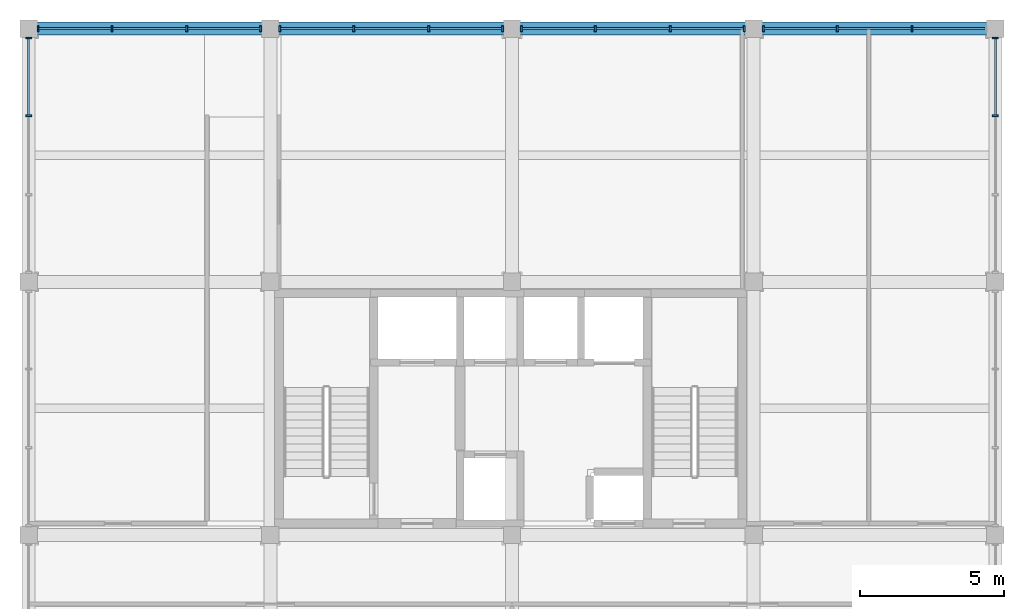
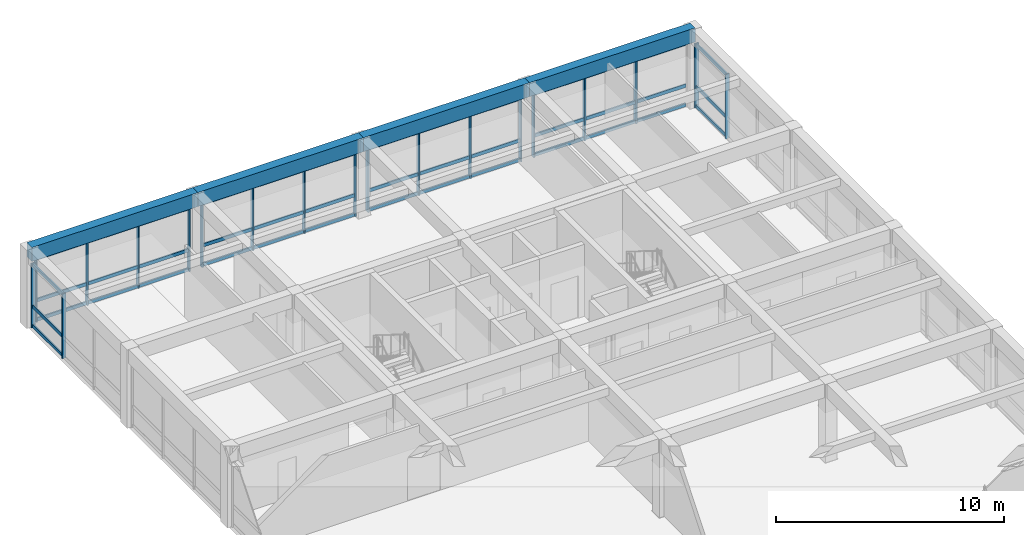
# One storey, part 6 of 14: 61 members, 4 beams, 6 elements without a shape of their own.
"""IFC4 building model written with IfcOpenShell, lengths in metres."""

from ifc_helpers import new_model, si_unit, direction, frame, origin, origin_2d, place, context, subcontext, project, spatial, rectangle, extrude, material, material_profile, profile_set, type_object, element, aggregate, save


model = new_model("IFC4")

# Units and contexts
model_context = context("Model", 3, precision=1e-05, world=origin(), true_north=direction((0.0, 1.0)))
body_context = subcontext(model_context, "Body", "Model", "MODEL_VIEW")
ifc_project = project(units=[si_unit("LENGTHUNIT", "METRE"), si_unit("AREAUNIT", "SQUARE_METRE"), si_unit("VOLUMEUNIT", "CUBIC_METRE"), si_unit("PLANEANGLEUNIT", "RADIAN"), si_unit("MASSUNIT", "GRAM", prefix="KILO")], contexts=[model_context])

# Site, building, storey
site_placement = place(None, origin())
site = spatial("IfcSite", under=ifc_project, at=site_placement, CompositionType="ELEMENT")
building_placement = place(site_placement, origin())
building = spatial("IfcBuilding", under=site, at=building_placement, Name="Kemercrest Conservatory and Botanical Centre", CompositionType="ELEMENT")
storey_placement = place(building_placement, frame((0.0, 0.0, 63.800048828125)))
storey = spatial("IfcBuildingStorey", under=building, at=storey_placement, Name="L16", CompositionType="ELEMENT", Elevation=63.800048828125)

# Curtain wall, members
ifc_material_1 = material(Name="Thermally broken aluminium and triple low-e glazing", Category="aluminium")
curtain_wall_type_1 = type_object("IfcCurtainWallType", Name="CW-19", PredefinedType="USERDEFINED", material=ifc_material_1)
curtain_wall_1_placement = place(storey_placement, origin())
curtain_wall_1 = element("IfcCurtainWall", 1, at=curtain_wall_1_placement, inside=storey, type_object=curtain_wall_type_1, Name="Unitised curtain wall CW-19 (CW:L16:V4-168)", ObjectType="UNITISED CURTAIN WALL", PredefinedType="USERDEFINED")
ifc_material_2 = material(Name="Thermally broken anodized aluminium 6063-T6", Category="aluminium")
ifc_material_profile_1 = material_profile(ifc_material_2, rectangle(XDim=0.199951171875, YDim=0.06494140625, at=origin_2d()), Name="AL MULLION 65x200")
ifc_profile_set_1 = profile_set([ifc_material_profile_1], Name="Thermally broken anodized aluminium 6063-T6")
member_type_1 = type_object("IfcMemberType", Name="CW-M200", PredefinedType="MULLION", material=ifc_profile_set_1)
member_1_placement = place(storey_placement, frame((176.0, 119.368408203125, 0.0), z_axis=(0.0, 0.0, 1.0), x_axis=(-1.0, 0.0, 0.0)))
member_1 = element("IfcMember", 2, at=member_1_placement, type_object=member_type_1, Name="CW-19 mullion 3", PredefinedType="MULLION", context=body_context, shape_type="SweptSolid", body=[
    extrude(rectangle(XDim=0.199951171875, YDim=0.06494140625, at=origin_2d()), origin(), (0.0, 0.0, 1.0), 3.454833984375),
])
member_2_placement = place(storey_placement, frame((176.0, 122.072509765625, 0.0), z_axis=(0.0, 0.0, 1.0), x_axis=(-1.0, 0.0, 0.0)))
member_2 = element("IfcMember", 3, at=member_2_placement, type_object=member_type_1, Name="CW-19 mullion 4", PredefinedType="MULLION", context=body_context, shape_type="SweptSolid", body=[
    extrude(rectangle(XDim=0.199951171875, YDim=0.06494140625, at=origin_2d()), origin(), (0.0, 0.0, 1.0), 3.454833984375),
])

curtain_wall_type_2 = type_object("IfcCurtainWallType", Name="CW-20", PredefinedType="USERDEFINED", material=ifc_material_1)
curtain_wall_2_placement = place(storey_placement, origin())
curtain_wall_2 = element("IfcCurtainWall", 4, at=curtain_wall_2_placement, inside=storey, type_object=curtain_wall_type_2, Name="Unitised curtain wall CW-20 (CW:L16:V4-169)", ObjectType="UNITISED CURTAIN WALL", PredefinedType="USERDEFINED")
member_3_placement = place(storey_placement, frame((173.1015625, 122.39990234375, 0.0), z_axis=(0.0, 0.0, 1.0), x_axis=(0.0, -1.0, 0.0)))
member_3 = element("IfcMember", 5, at=member_3_placement, type_object=member_type_1, Name="CW-20 mullion 2", PredefinedType="MULLION", context=body_context, shape_type="SweptSolid", body=[
    extrude(rectangle(XDim=0.199951171875, YDim=0.06494140625, at=origin_2d()), origin(), (0.0, 0.0, 1.0), 3.454833984375),
])
member_4_placement = place(storey_placement, frame((170.498291015625, 122.39990234375, 0.0), z_axis=(0.0, 0.0, 1.0), x_axis=(0.0, -1.0, 0.0)))
member_4 = element("IfcMember", 6, at=member_4_placement, type_object=member_type_1, Name="CW-20 mullion 3", PredefinedType="MULLION", context=body_context, shape_type="SweptSolid", body=[
    extrude(rectangle(XDim=0.199951171875, YDim=0.06494140625, at=origin_2d()), origin(), (0.0, 0.0, 1.0), 3.454833984375),
])
member_5_placement = place(storey_placement, frame((167.927490234375, 122.39990234375, 0.0), z_axis=(0.0, 0.0, 1.0), x_axis=(0.0, -1.0, 0.0)))
member_5 = element("IfcMember", 7, at=member_5_placement, type_object=member_type_1, Name="CW-20 mullion 4", PredefinedType="MULLION", context=body_context, shape_type="SweptSolid", body=[
    extrude(rectangle(XDim=0.199951171875, YDim=0.06494140625, at=origin_2d()), origin(), (0.0, 0.0, 1.0), 3.454833984375),
])

curtain_wall_type_3 = type_object("IfcCurtainWallType", Name="CW-21", PredefinedType="USERDEFINED", material=ifc_material_1)
curtain_wall_3_placement = place(storey_placement, origin())
curtain_wall_3 = element("IfcCurtainWall", 8, at=curtain_wall_3_placement, inside=storey, type_object=curtain_wall_type_3, Name="Unitised curtain wall CW-21 (CW:L16:V4-170)", ObjectType="UNITISED CURTAIN WALL", PredefinedType="USERDEFINED")
member_6_placement = place(storey_placement, frame((167.2724609375, 122.39990234375, 0.0), z_axis=(0.0, 0.0, 1.0), x_axis=(0.0, -1.0, 0.0)))
member_6 = element("IfcMember", 9, at=member_6_placement, type_object=member_type_1, Name="CW-21 mullion 1", PredefinedType="MULLION", context=body_context, shape_type="SweptSolid", body=[
    extrude(rectangle(XDim=0.199951171875, YDim=0.06494140625, at=origin_2d()), origin(), (0.0, 0.0, 1.0), 3.454833984375),
])
member_7_placement = place(storey_placement, frame((164.70166015625, 122.39990234375, 0.0), z_axis=(0.0, 0.0, 1.0), x_axis=(0.0, -1.0, 0.0)))
member_7 = element("IfcMember", 10, at=member_7_placement, type_object=member_type_1, Name="CW-21 mullion 2", PredefinedType="MULLION", context=body_context, shape_type="SweptSolid", body=[
    extrude(rectangle(XDim=0.199951171875, YDim=0.06494140625, at=origin_2d()), origin(), (0.0, 0.0, 1.0), 3.454833984375),
])
member_8_placement = place(storey_placement, frame((162.098388671875, 122.39990234375, 0.0), z_axis=(0.0, 0.0, 1.0), x_axis=(0.0, -1.0, 0.0)))
member_8 = element("IfcMember", 11, at=member_8_placement, type_object=member_type_1, Name="CW-21 mullion 3", PredefinedType="MULLION", context=body_context, shape_type="SweptSolid", body=[
    extrude(rectangle(XDim=0.199951171875, YDim=0.06494140625, at=origin_2d()), origin(), (0.0, 0.0, 1.0), 3.454833984375),
])
member_9_placement = place(storey_placement, frame((159.527587890625, 122.39990234375, 0.0), z_axis=(0.0, 0.0, 1.0), x_axis=(0.0, -1.0, 0.0)))
member_9 = element("IfcMember", 12, at=member_9_placement, type_object=member_type_1, Name="CW-21 mullion 4", PredefinedType="MULLION", context=body_context, shape_type="SweptSolid", body=[
    extrude(rectangle(XDim=0.199951171875, YDim=0.06494140625, at=origin_2d()), origin(), (0.0, 0.0, 1.0), 3.454833984375),
])

curtain_wall_type_4 = type_object("IfcCurtainWallType", Name="CW-22", PredefinedType="USERDEFINED", material=ifc_material_1)
curtain_wall_4_placement = place(storey_placement, origin())
curtain_wall_4 = element("IfcCurtainWall", 13, at=curtain_wall_4_placement, inside=storey, type_object=curtain_wall_type_4, Name="Unitised curtain wall CW-22 (CW:L16:V4-171)", ObjectType="UNITISED CURTAIN WALL", PredefinedType="USERDEFINED")
member_10_placement = place(storey_placement, frame((158.87255859375, 122.39990234375, 0.0), z_axis=(0.0, 0.0, 1.0), x_axis=(0.0, -1.0, 0.0)))
member_10 = element("IfcMember", 14, at=member_10_placement, type_object=member_type_1, Name="CW-22 mullion 1", PredefinedType="MULLION", context=body_context, shape_type="SweptSolid", body=[
    extrude(rectangle(XDim=0.199951171875, YDim=0.06494140625, at=origin_2d()), origin(), (0.0, 0.0, 1.0), 3.454833984375),
])
member_11_placement = place(storey_placement, frame((156.3017578125, 122.39990234375, 0.0), z_axis=(0.0, 0.0, 1.0), x_axis=(0.0, -1.0, 0.0)))
member_11 = element("IfcMember", 15, at=member_11_placement, type_object=member_type_1, Name="CW-22 mullion 2", PredefinedType="MULLION", context=body_context, shape_type="SweptSolid", body=[
    extrude(rectangle(XDim=0.199951171875, YDim=0.06494140625, at=origin_2d()), origin(), (0.0, 0.0, 1.0), 3.454833984375),
])
member_12_placement = place(storey_placement, frame((153.6982421875, 122.39990234375, 0.0), z_axis=(0.0, 0.0, 1.0), x_axis=(0.0, -1.0, 0.0)))
member_12 = element("IfcMember", 16, at=member_12_placement, type_object=member_type_1, Name="CW-22 mullion 3", PredefinedType="MULLION", context=body_context, shape_type="SweptSolid", body=[
    extrude(rectangle(XDim=0.199951171875, YDim=0.06494140625, at=origin_2d()), origin(), (0.0, 0.0, 1.0), 3.454833984375),
])
member_13_placement = place(storey_placement, frame((151.12744140625, 122.39990234375, 0.0), z_axis=(0.0, 0.0, 1.0), x_axis=(0.0, -1.0, 0.0)))
member_13 = element("IfcMember", 17, at=member_13_placement, type_object=member_type_1, Name="CW-22 mullion 4", PredefinedType="MULLION", context=body_context, shape_type="SweptSolid", body=[
    extrude(rectangle(XDim=0.199951171875, YDim=0.06494140625, at=origin_2d()), origin(), (0.0, 0.0, 1.0), 3.454833984375),
])

curtain_wall_type_5 = type_object("IfcCurtainWallType", Name="CW-23", PredefinedType="USERDEFINED", material=ifc_material_1)
curtain_wall_5_placement = place(storey_placement, origin())
curtain_wall_5 = element("IfcCurtainWall", 18, at=curtain_wall_5_placement, inside=storey, type_object=curtain_wall_type_5, Name="Unitised curtain wall CW-23 (CW:L16:V4-172)", ObjectType="UNITISED CURTAIN WALL", PredefinedType="USERDEFINED")
member_14_placement = place(storey_placement, frame((150.472412109375, 122.39990234375, 0.0), z_axis=(0.0, 0.0, 1.0), x_axis=(0.0, -1.0, 0.0)))
member_14 = element("IfcMember", 19, at=member_14_placement, type_object=member_type_1, Name="CW-23 mullion 1", PredefinedType="MULLION", context=body_context, shape_type="SweptSolid", body=[
    extrude(rectangle(XDim=0.199951171875, YDim=0.06494140625, at=origin_2d()), origin(), (0.0, 0.0, 1.0), 3.454833984375),
])
member_15_placement = place(storey_placement, frame((147.901611328125, 122.39990234375, 0.0), z_axis=(0.0, 0.0, 1.0), x_axis=(0.0, -1.0, 0.0)))
member_15 = element("IfcMember", 20, at=member_15_placement, type_object=member_type_1, Name="CW-23 mullion 2", PredefinedType="MULLION", context=body_context, shape_type="SweptSolid", body=[
    extrude(rectangle(XDim=0.199951171875, YDim=0.06494140625, at=origin_2d()), origin(), (0.0, 0.0, 1.0), 3.454833984375),
])
member_16_placement = place(storey_placement, frame((145.29833984375, 122.39990234375, 0.0), z_axis=(0.0, 0.0, 1.0), x_axis=(0.0, -1.0, 0.0)))
member_16 = element("IfcMember", 21, at=member_16_placement, type_object=member_type_1, Name="CW-23 mullion 3", PredefinedType="MULLION", context=body_context, shape_type="SweptSolid", body=[
    extrude(rectangle(XDim=0.199951171875, YDim=0.06494140625, at=origin_2d()), origin(), (0.0, 0.0, 1.0), 3.454833984375),
])
member_17_placement = place(storey_placement, frame((142.7275390625, 122.39990234375, 0.0), z_axis=(0.0, 0.0, 1.0), x_axis=(0.0, -1.0, 0.0)))
member_17 = element("IfcMember", 22, at=member_17_placement, type_object=member_type_1, Name="CW-23 mullion 4", PredefinedType="MULLION", context=body_context, shape_type="SweptSolid", body=[
    extrude(rectangle(XDim=0.199951171875, YDim=0.06494140625, at=origin_2d()), origin(), (0.0, 0.0, 1.0), 3.454833984375),
])

curtain_wall_type_6 = type_object("IfcCurtainWallType", Name="CW-24", PredefinedType="USERDEFINED", material=ifc_material_1)
curtain_wall_6_placement = place(storey_placement, origin())
curtain_wall_6 = element("IfcCurtainWall", 23, at=curtain_wall_6_placement, inside=storey, type_object=curtain_wall_type_6, Name="Unitised curtain wall CW-24 (CW:L16:V4-173)", ObjectType="UNITISED CURTAIN WALL", PredefinedType="USERDEFINED")
member_18_placement = place(storey_placement, frame((142.39990234375, 122.072509765625, 0.0), z_axis=(0.0, 0.0, 1.0), x_axis=(1.0, 0.0, 0.0)))
member_18 = element("IfcMember", 24, at=member_18_placement, type_object=member_type_1, Name="CW-24 mullion 1", PredefinedType="MULLION", context=body_context, shape_type="SweptSolid", body=[
    extrude(rectangle(XDim=0.199951171875, YDim=0.06494140625, at=origin_2d()), origin(), (0.0, 0.0, 1.0), 3.454833984375),
])
member_19_placement = place(storey_placement, frame((142.39990234375, 119.368408203125, 0.0), z_axis=(0.0, 0.0, 1.0), x_axis=(1.0, 0.0, 0.0)))
member_19 = element("IfcMember", 25, at=member_19_placement, type_object=member_type_1, Name="CW-24 mullion 2", PredefinedType="MULLION", context=body_context, shape_type="SweptSolid", body=[
    extrude(rectangle(XDim=0.199951171875, YDim=0.06494140625, at=origin_2d()), origin(), (0.0, 0.0, 1.0), 3.454833984375),
])

# Member
ifc_material_profile_2 = material_profile(ifc_material_2, rectangle(XDim=0.074951171875, YDim=0.179931640625, at=origin_2d()), Name="AL TRANSOM 75x180")
ifc_profile_set_2 = profile_set([ifc_material_profile_2], Name="Thermally broken anodized aluminium 6063-T6")
member_type_2 = type_object("IfcMemberType", Name="CW-T180", PredefinedType="USERDEFINED", material=ifc_profile_set_2)
member_20_placement = place(storey_placement, frame((176.0, 119.40087890625, 0.08984375), z_axis=(0.0, 1.0, 0.0), x_axis=(-1.0, 0.0, 0.0)))
member_20 = element("IfcMember", 26, at=member_20_placement, type_object=member_type_2, Name="CW-19 transom 3.1", ObjectType="TRANSOM", PredefinedType="USERDEFINED", context=body_context, shape_type="SweptSolid", body=[
    extrude(rectangle(XDim=0.074951171875, YDim=0.179931640625, at=origin_2d()), origin(), (0.0, 0.0, 1.0), 2.63916015625),
])

member_21_placement = place(storey_placement, frame((176.0, 119.40087890625, 1.119873046875), z_axis=(0.0, 1.0, 0.0), x_axis=(-1.0, 0.0, 0.0)))
member_21 = element("IfcMember", 27, at=member_21_placement, type_object=member_type_2, Name="CW-19 transom 3.2", ObjectType="TRANSOM", PredefinedType="USERDEFINED", context=body_context, shape_type="SweptSolid", body=[
    extrude(rectangle(XDim=0.074951171875, YDim=0.179931640625, at=origin_2d()), origin(), (0.0, 0.0, 1.0), 2.63916015625),
])

member_22_placement = place(storey_placement, frame((176.0, 119.40087890625, 3.364990234375), z_axis=(0.0, 1.0, 0.0), x_axis=(-1.0, 0.0, 0.0)))
member_22 = element("IfcMember", 28, at=member_22_placement, type_object=member_type_2, Name="CW-19 transom 3.3", ObjectType="TRANSOM", PredefinedType="USERDEFINED", context=body_context, shape_type="SweptSolid", body=[
    extrude(rectangle(XDim=0.074951171875, YDim=0.179931640625, at=origin_2d()), origin(), (0.0, 0.0, 1.0), 2.63916015625),
])

aggregate(curtain_wall_1, [member_1, member_2, member_20, member_21, member_22])

member_23_placement = place(storey_placement, frame((175.639892578125, 122.39990234375, 0.08984375), z_axis=(-1.0, 0.0, 0.0), x_axis=(0.0, -1.0, 0.0)))
member_23 = element("IfcMember", 29, at=member_23_placement, type_object=member_type_2, Name="CW-20 transom 1.1", ObjectType="TRANSOM", PredefinedType="USERDEFINED", context=body_context, shape_type="SweptSolid", body=[
    extrude(rectangle(XDim=0.074951171875, YDim=0.179931640625, at=origin_2d()), origin(), (0.0, 0.0, 1.0), 2.505615234375),
])

member_24_placement = place(storey_placement, frame((175.639892578125, 122.39990234375, 1.119873046875), z_axis=(-1.0, 0.0, 0.0), x_axis=(0.0, -1.0, 0.0)))
member_24 = element("IfcMember", 30, at=member_24_placement, type_object=member_type_2, Name="CW-20 transom 1.2", ObjectType="TRANSOM", PredefinedType="USERDEFINED", context=body_context, shape_type="SweptSolid", body=[
    extrude(rectangle(XDim=0.074951171875, YDim=0.179931640625, at=origin_2d()), origin(), (0.0, 0.0, 1.0), 2.505615234375),
])

member_25_placement = place(storey_placement, frame((175.639892578125, 122.39990234375, 3.364990234375), z_axis=(-1.0, 0.0, 0.0), x_axis=(0.0, -1.0, 0.0)))
member_25 = element("IfcMember", 31, at=member_25_placement, type_object=member_type_2, Name="CW-20 transom 1.3", ObjectType="TRANSOM", PredefinedType="USERDEFINED", context=body_context, shape_type="SweptSolid", body=[
    extrude(rectangle(XDim=0.074951171875, YDim=0.179931640625, at=origin_2d()), origin(), (0.0, 0.0, 1.0), 2.505615234375),
])

member_26_placement = place(storey_placement, frame((173.069091796875, 122.39990234375, 0.08984375), z_axis=(-1.0, 0.0, 0.0), x_axis=(0.0, -1.0, 0.0)))
member_26 = element("IfcMember", 32, at=member_26_placement, type_object=member_type_2, Name="CW-20 transom 2.1", ObjectType="TRANSOM", PredefinedType="USERDEFINED", context=body_context, shape_type="SweptSolid", body=[
    extrude(rectangle(XDim=0.074951171875, YDim=0.179931640625, at=origin_2d()), origin(), (0.0, 0.0, 1.0), 2.538330078125),
])

member_27_placement = place(storey_placement, frame((173.069091796875, 122.39990234375, 1.119873046875), z_axis=(-1.0, 0.0, 0.0), x_axis=(0.0, -1.0, 0.0)))
member_27 = element("IfcMember", 33, at=member_27_placement, type_object=member_type_2, Name="CW-20 transom 2.2", ObjectType="TRANSOM", PredefinedType="USERDEFINED", context=body_context, shape_type="SweptSolid", body=[
    extrude(rectangle(XDim=0.074951171875, YDim=0.179931640625, at=origin_2d()), origin(), (0.0, 0.0, 1.0), 2.538330078125),
])

member_28_placement = place(storey_placement, frame((173.069091796875, 122.39990234375, 3.364990234375), z_axis=(-1.0, 0.0, 0.0), x_axis=(0.0, -1.0, 0.0)))
member_28 = element("IfcMember", 34, at=member_28_placement, type_object=member_type_2, Name="CW-20 transom 2.3", ObjectType="TRANSOM", PredefinedType="USERDEFINED", context=body_context, shape_type="SweptSolid", body=[
    extrude(rectangle(XDim=0.074951171875, YDim=0.179931640625, at=origin_2d()), origin(), (0.0, 0.0, 1.0), 2.538330078125),
])

member_29_placement = place(storey_placement, frame((170.4658203125, 122.39990234375, 0.08984375), z_axis=(-1.0, 0.0, 0.0), x_axis=(0.0, -1.0, 0.0)))
member_29 = element("IfcMember", 35, at=member_29_placement, type_object=member_type_2, Name="CW-20 transom 3.1", ObjectType="TRANSOM", PredefinedType="USERDEFINED", context=body_context, shape_type="SweptSolid", body=[
    extrude(rectangle(XDim=0.074951171875, YDim=0.179931640625, at=origin_2d()), origin(), (0.0, 0.0, 1.0), 2.505859375),
])

member_30_placement = place(storey_placement, frame((170.4658203125, 122.39990234375, 1.119873046875), z_axis=(-1.0, 0.0, 0.0), x_axis=(0.0, -1.0, 0.0)))
member_30 = element("IfcMember", 36, at=member_30_placement, type_object=member_type_2, Name="CW-20 transom 3.2", ObjectType="TRANSOM", PredefinedType="USERDEFINED", context=body_context, shape_type="SweptSolid", body=[
    extrude(rectangle(XDim=0.074951171875, YDim=0.179931640625, at=origin_2d()), origin(), (0.0, 0.0, 1.0), 2.505859375),
])

member_31_placement = place(storey_placement, frame((170.4658203125, 122.39990234375, 3.364990234375), z_axis=(-1.0, 0.0, 0.0), x_axis=(0.0, -1.0, 0.0)))
member_31 = element("IfcMember", 37, at=member_31_placement, type_object=member_type_2, Name="CW-20 transom 3.3", ObjectType="TRANSOM", PredefinedType="USERDEFINED", context=body_context, shape_type="SweptSolid", body=[
    extrude(rectangle(XDim=0.074951171875, YDim=0.179931640625, at=origin_2d()), origin(), (0.0, 0.0, 1.0), 2.505859375),
])

aggregate(curtain_wall_2, [member_3, member_4, member_5, member_23, member_24, member_25, member_26, member_27, member_28, member_29, member_30, member_31])

member_32_placement = place(storey_placement, frame((167.239990234375, 122.39990234375, 0.08984375), z_axis=(-1.0, 0.0, 0.0), x_axis=(0.0, -1.0, 0.0)))
member_32 = element("IfcMember", 38, at=member_32_placement, type_object=member_type_2, Name="CW-21 transom 1.1", ObjectType="TRANSOM", PredefinedType="USERDEFINED", context=body_context, shape_type="SweptSolid", body=[
    extrude(rectangle(XDim=0.074951171875, YDim=0.179931640625, at=origin_2d()), origin(), (0.0, 0.0, 1.0), 2.505859375),
])

member_33_placement = place(storey_placement, frame((167.239990234375, 122.39990234375, 1.119873046875), z_axis=(-1.0, 0.0, 0.0), x_axis=(0.0, -1.0, 0.0)))
member_33 = element("IfcMember", 39, at=member_33_placement, type_object=member_type_2, Name="CW-21 transom 1.2", ObjectType="TRANSOM", PredefinedType="USERDEFINED", context=body_context, shape_type="SweptSolid", body=[
    extrude(rectangle(XDim=0.074951171875, YDim=0.179931640625, at=origin_2d()), origin(), (0.0, 0.0, 1.0), 2.505859375),
])

member_34_placement = place(storey_placement, frame((167.239990234375, 122.39990234375, 3.364990234375), z_axis=(-1.0, 0.0, 0.0), x_axis=(0.0, -1.0, 0.0)))
member_34 = element("IfcMember", 40, at=member_34_placement, type_object=member_type_2, Name="CW-21 transom 1.3", ObjectType="TRANSOM", PredefinedType="USERDEFINED", context=body_context, shape_type="SweptSolid", body=[
    extrude(rectangle(XDim=0.074951171875, YDim=0.179931640625, at=origin_2d()), origin(), (0.0, 0.0, 1.0), 2.505859375),
])

member_35_placement = place(storey_placement, frame((164.669189453125, 122.39990234375, 0.08984375), z_axis=(-1.0, 0.0, 0.0), x_axis=(0.0, -1.0, 0.0)))
member_35 = element("IfcMember", 41, at=member_35_placement, type_object=member_type_2, Name="CW-21 transom 2.1", ObjectType="TRANSOM", PredefinedType="USERDEFINED", context=body_context, shape_type="SweptSolid", body=[
    extrude(rectangle(XDim=0.074951171875, YDim=0.179931640625, at=origin_2d()), origin(), (0.0, 0.0, 1.0), 2.538330078125),
])

member_36_placement = place(storey_placement, frame((164.669189453125, 122.39990234375, 1.119873046875), z_axis=(-1.0, 0.0, 0.0), x_axis=(0.0, -1.0, 0.0)))
member_36 = element("IfcMember", 42, at=member_36_placement, type_object=member_type_2, Name="CW-21 transom 2.2", ObjectType="TRANSOM", PredefinedType="USERDEFINED", context=body_context, shape_type="SweptSolid", body=[
    extrude(rectangle(XDim=0.074951171875, YDim=0.179931640625, at=origin_2d()), origin(), (0.0, 0.0, 1.0), 2.538330078125),
])

member_37_placement = place(storey_placement, frame((164.669189453125, 122.39990234375, 3.364990234375), z_axis=(-1.0, 0.0, 0.0), x_axis=(0.0, -1.0, 0.0)))
member_37 = element("IfcMember", 43, at=member_37_placement, type_object=member_type_2, Name="CW-21 transom 2.3", ObjectType="TRANSOM", PredefinedType="USERDEFINED", context=body_context, shape_type="SweptSolid", body=[
    extrude(rectangle(XDim=0.074951171875, YDim=0.179931640625, at=origin_2d()), origin(), (0.0, 0.0, 1.0), 2.538330078125),
])

member_38_placement = place(storey_placement, frame((162.06591796875, 122.39990234375, 0.08984375), z_axis=(-1.0, 0.0, 0.0), x_axis=(0.0, -1.0, 0.0)))
member_38 = element("IfcMember", 44, at=member_38_placement, type_object=member_type_2, Name="CW-21 transom 3.1", ObjectType="TRANSOM", PredefinedType="USERDEFINED", context=body_context, shape_type="SweptSolid", body=[
    extrude(rectangle(XDim=0.074951171875, YDim=0.179931640625, at=origin_2d()), origin(), (0.0, 0.0, 1.0), 2.505859375),
])

member_39_placement = place(storey_placement, frame((162.06591796875, 122.39990234375, 1.119873046875), z_axis=(-1.0, 0.0, 0.0), x_axis=(0.0, -1.0, 0.0)))
member_39 = element("IfcMember", 45, at=member_39_placement, type_object=member_type_2, Name="CW-21 transom 3.2", ObjectType="TRANSOM", PredefinedType="USERDEFINED", context=body_context, shape_type="SweptSolid", body=[
    extrude(rectangle(XDim=0.074951171875, YDim=0.179931640625, at=origin_2d()), origin(), (0.0, 0.0, 1.0), 2.505859375),
])

member_40_placement = place(storey_placement, frame((162.06591796875, 122.39990234375, 3.364990234375), z_axis=(-1.0, 0.0, 0.0), x_axis=(0.0, -1.0, 0.0)))
member_40 = element("IfcMember", 46, at=member_40_placement, type_object=member_type_2, Name="CW-21 transom 3.3", ObjectType="TRANSOM", PredefinedType="USERDEFINED", context=body_context, shape_type="SweptSolid", body=[
    extrude(rectangle(XDim=0.074951171875, YDim=0.179931640625, at=origin_2d()), origin(), (0.0, 0.0, 1.0), 2.505859375),
])

aggregate(curtain_wall_3, [member_6, member_7, member_8, member_9, member_32, member_33, member_34, member_35, member_36, member_37, member_38, member_39, member_40])

member_41_placement = place(storey_placement, frame((158.840087890625, 122.39990234375, 0.08984375), z_axis=(-1.0, 0.0, 0.0), x_axis=(0.0, -1.0, 0.0)))
member_41 = element("IfcMember", 47, at=member_41_placement, type_object=member_type_2, Name="CW-22 transom 1.1", ObjectType="TRANSOM", PredefinedType="USERDEFINED", context=body_context, shape_type="SweptSolid", body=[
    extrude(rectangle(XDim=0.074951171875, YDim=0.179931640625, at=origin_2d()), origin(), (0.0, 0.0, 1.0), 2.505859375),
])

member_42_placement = place(storey_placement, frame((158.840087890625, 122.39990234375, 1.119873046875), z_axis=(-1.0, 0.0, 0.0), x_axis=(0.0, -1.0, 0.0)))
member_42 = element("IfcMember", 48, at=member_42_placement, type_object=member_type_2, Name="CW-22 transom 1.2", ObjectType="TRANSOM", PredefinedType="USERDEFINED", context=body_context, shape_type="SweptSolid", body=[
    extrude(rectangle(XDim=0.074951171875, YDim=0.179931640625, at=origin_2d()), origin(), (0.0, 0.0, 1.0), 2.505859375),
])

member_43_placement = place(storey_placement, frame((158.840087890625, 122.39990234375, 3.364990234375), z_axis=(-1.0, 0.0, 0.0), x_axis=(0.0, -1.0, 0.0)))
member_43 = element("IfcMember", 49, at=member_43_placement, type_object=member_type_2, Name="CW-22 transom 1.3", ObjectType="TRANSOM", PredefinedType="USERDEFINED", context=body_context, shape_type="SweptSolid", body=[
    extrude(rectangle(XDim=0.074951171875, YDim=0.179931640625, at=origin_2d()), origin(), (0.0, 0.0, 1.0), 2.505859375),
])

member_44_placement = place(storey_placement, frame((156.269287109375, 122.39990234375, 0.08984375), z_axis=(-1.0, 0.0, 0.0), x_axis=(0.0, -1.0, 0.0)))
member_44 = element("IfcMember", 50, at=member_44_placement, type_object=member_type_2, Name="CW-22 transom 2.1", ObjectType="TRANSOM", PredefinedType="USERDEFINED", context=body_context, shape_type="SweptSolid", body=[
    extrude(rectangle(XDim=0.074951171875, YDim=0.179931640625, at=origin_2d()), origin(), (0.0, 0.0, 1.0), 2.53857421875),
])

member_45_placement = place(storey_placement, frame((156.269287109375, 122.39990234375, 1.119873046875), z_axis=(-1.0, 0.0, 0.0), x_axis=(0.0, -1.0, 0.0)))
member_45 = element("IfcMember", 51, at=member_45_placement, type_object=member_type_2, Name="CW-22 transom 2.2", ObjectType="TRANSOM", PredefinedType="USERDEFINED", context=body_context, shape_type="SweptSolid", body=[
    extrude(rectangle(XDim=0.074951171875, YDim=0.179931640625, at=origin_2d()), origin(), (0.0, 0.0, 1.0), 2.53857421875),
])

member_46_placement = place(storey_placement, frame((156.269287109375, 122.39990234375, 3.364990234375), z_axis=(-1.0, 0.0, 0.0), x_axis=(0.0, -1.0, 0.0)))
member_46 = element("IfcMember", 52, at=member_46_placement, type_object=member_type_2, Name="CW-22 transom 2.3", ObjectType="TRANSOM", PredefinedType="USERDEFINED", context=body_context, shape_type="SweptSolid", body=[
    extrude(rectangle(XDim=0.074951171875, YDim=0.179931640625, at=origin_2d()), origin(), (0.0, 0.0, 1.0), 2.53857421875),
])

member_47_placement = place(storey_placement, frame((153.665771484375, 122.39990234375, 0.08984375), z_axis=(-1.0, 0.0, 0.0), x_axis=(0.0, -1.0, 0.0)))
member_47 = element("IfcMember", 53, at=member_47_placement, type_object=member_type_2, Name="CW-22 transom 3.1", ObjectType="TRANSOM", PredefinedType="USERDEFINED", context=body_context, shape_type="SweptSolid", body=[
    extrude(rectangle(XDim=0.074951171875, YDim=0.179931640625, at=origin_2d()), origin(), (0.0, 0.0, 1.0), 2.505859375),
])

member_48_placement = place(storey_placement, frame((153.665771484375, 122.39990234375, 1.119873046875), z_axis=(-1.0, 0.0, 0.0), x_axis=(0.0, -1.0, 0.0)))
member_48 = element("IfcMember", 54, at=member_48_placement, type_object=member_type_2, Name="CW-22 transom 3.2", ObjectType="TRANSOM", PredefinedType="USERDEFINED", context=body_context, shape_type="SweptSolid", body=[
    extrude(rectangle(XDim=0.074951171875, YDim=0.179931640625, at=origin_2d()), origin(), (0.0, 0.0, 1.0), 2.505859375),
])

member_49_placement = place(storey_placement, frame((153.665771484375, 122.39990234375, 3.364990234375), z_axis=(-1.0, 0.0, 0.0), x_axis=(0.0, -1.0, 0.0)))
member_49 = element("IfcMember", 55, at=member_49_placement, type_object=member_type_2, Name="CW-22 transom 3.3", ObjectType="TRANSOM", PredefinedType="USERDEFINED", context=body_context, shape_type="SweptSolid", body=[
    extrude(rectangle(XDim=0.074951171875, YDim=0.179931640625, at=origin_2d()), origin(), (0.0, 0.0, 1.0), 2.505859375),
])

aggregate(curtain_wall_4, [member_10, member_11, member_12, member_13, member_41, member_42, member_43, member_44, member_45, member_46, member_47, member_48, member_49])

member_50_placement = place(storey_placement, frame((150.43994140625, 122.39990234375, 0.08984375), z_axis=(-1.0, 0.0, 0.0), x_axis=(0.0, -1.0, 0.0)))
member_50 = element("IfcMember", 56, at=member_50_placement, type_object=member_type_2, Name="CW-23 transom 1.1", ObjectType="TRANSOM", PredefinedType="USERDEFINED", context=body_context, shape_type="SweptSolid", body=[
    extrude(rectangle(XDim=0.074951171875, YDim=0.179931640625, at=origin_2d()), origin(), (0.0, 0.0, 1.0), 2.505859375),
])

member_51_placement = place(storey_placement, frame((150.43994140625, 122.39990234375, 1.119873046875), z_axis=(-1.0, 0.0, 0.0), x_axis=(0.0, -1.0, 0.0)))
member_51 = element("IfcMember", 57, at=member_51_placement, type_object=member_type_2, Name="CW-23 transom 1.2", ObjectType="TRANSOM", PredefinedType="USERDEFINED", context=body_context, shape_type="SweptSolid", body=[
    extrude(rectangle(XDim=0.074951171875, YDim=0.179931640625, at=origin_2d()), origin(), (0.0, 0.0, 1.0), 2.505859375),
])

member_52_placement = place(storey_placement, frame((150.43994140625, 122.39990234375, 3.364990234375), z_axis=(-1.0, 0.0, 0.0), x_axis=(0.0, -1.0, 0.0)))
member_52 = element("IfcMember", 58, at=member_52_placement, type_object=member_type_2, Name="CW-23 transom 1.3", ObjectType="TRANSOM", PredefinedType="USERDEFINED", context=body_context, shape_type="SweptSolid", body=[
    extrude(rectangle(XDim=0.074951171875, YDim=0.179931640625, at=origin_2d()), origin(), (0.0, 0.0, 1.0), 2.505859375),
])

member_53_placement = place(storey_placement, frame((147.869140625, 122.39990234375, 0.08984375), z_axis=(-1.0, 0.0, 0.0), x_axis=(0.0, -1.0, 0.0)))
member_53 = element("IfcMember", 59, at=member_53_placement, type_object=member_type_2, Name="CW-23 transom 2.1", ObjectType="TRANSOM", PredefinedType="USERDEFINED", context=body_context, shape_type="SweptSolid", body=[
    extrude(rectangle(XDim=0.074951171875, YDim=0.179931640625, at=origin_2d()), origin(), (0.0, 0.0, 1.0), 2.538330078125),
])

member_54_placement = place(storey_placement, frame((147.869140625, 122.39990234375, 1.119873046875), z_axis=(-1.0, 0.0, 0.0), x_axis=(0.0, -1.0, 0.0)))
member_54 = element("IfcMember", 60, at=member_54_placement, type_object=member_type_2, Name="CW-23 transom 2.2", ObjectType="TRANSOM", PredefinedType="USERDEFINED", context=body_context, shape_type="SweptSolid", body=[
    extrude(rectangle(XDim=0.074951171875, YDim=0.179931640625, at=origin_2d()), origin(), (0.0, 0.0, 1.0), 2.538330078125),
])

member_55_placement = place(storey_placement, frame((147.869140625, 122.39990234375, 3.364990234375), z_axis=(-1.0, 0.0, 0.0), x_axis=(0.0, -1.0, 0.0)))
member_55 = element("IfcMember", 61, at=member_55_placement, type_object=member_type_2, Name="CW-23 transom 2.3", ObjectType="TRANSOM", PredefinedType="USERDEFINED", context=body_context, shape_type="SweptSolid", body=[
    extrude(rectangle(XDim=0.074951171875, YDim=0.179931640625, at=origin_2d()), origin(), (0.0, 0.0, 1.0), 2.538330078125),
])

member_56_placement = place(storey_placement, frame((145.265869140625, 122.39990234375, 0.08984375), z_axis=(-1.0, 0.0, 0.0), x_axis=(0.0, -1.0, 0.0)))
member_56 = element("IfcMember", 62, at=member_56_placement, type_object=member_type_2, Name="CW-23 transom 3.1", ObjectType="TRANSOM", PredefinedType="USERDEFINED", context=body_context, shape_type="SweptSolid", body=[
    extrude(rectangle(XDim=0.074951171875, YDim=0.179931640625, at=origin_2d()), origin(), (0.0, 0.0, 1.0), 2.505859375),
])

member_57_placement = place(storey_placement, frame((145.265869140625, 122.39990234375, 1.119873046875), z_axis=(-1.0, 0.0, 0.0), x_axis=(0.0, -1.0, 0.0)))
member_57 = element("IfcMember", 63, at=member_57_placement, type_object=member_type_2, Name="CW-23 transom 3.2", ObjectType="TRANSOM", PredefinedType="USERDEFINED", context=body_context, shape_type="SweptSolid", body=[
    extrude(rectangle(XDim=0.074951171875, YDim=0.179931640625, at=origin_2d()), origin(), (0.0, 0.0, 1.0), 2.505859375),
])

member_58_placement = place(storey_placement, frame((145.265869140625, 122.39990234375, 3.364990234375), z_axis=(-1.0, 0.0, 0.0), x_axis=(0.0, -1.0, 0.0)))
member_58 = element("IfcMember", 64, at=member_58_placement, type_object=member_type_2, Name="CW-23 transom 3.3", ObjectType="TRANSOM", PredefinedType="USERDEFINED", context=body_context, shape_type="SweptSolid", body=[
    extrude(rectangle(XDim=0.074951171875, YDim=0.179931640625, at=origin_2d()), origin(), (0.0, 0.0, 1.0), 2.505859375),
])

aggregate(curtain_wall_5, [member_14, member_15, member_16, member_17, member_50, member_51, member_52, member_53, member_54, member_55, member_56, member_57, member_58])

member_59_placement = place(storey_placement, frame((142.39990234375, 122.0400390625, 0.08984375), z_axis=(0.0, -1.0, 0.0), x_axis=(1.0, 0.0, 0.0)))
member_59 = element("IfcMember", 65, at=member_59_placement, type_object=member_type_2, Name="CW-24 transom 1.1", ObjectType="TRANSOM", PredefinedType="USERDEFINED", context=body_context, shape_type="SweptSolid", body=[
    extrude(rectangle(XDim=0.074951171875, YDim=0.179931640625, at=origin_2d()), origin(), (0.0, 0.0, 1.0), 2.63916015625),
])

member_60_placement = place(storey_placement, frame((142.39990234375, 122.0400390625, 1.119873046875), z_axis=(0.0, -1.0, 0.0), x_axis=(1.0, 0.0, 0.0)))
member_60 = element("IfcMember", 66, at=member_60_placement, type_object=member_type_2, Name="CW-24 transom 1.2", ObjectType="TRANSOM", PredefinedType="USERDEFINED", context=body_context, shape_type="SweptSolid", body=[
    extrude(rectangle(XDim=0.074951171875, YDim=0.179931640625, at=origin_2d()), origin(), (0.0, 0.0, 1.0), 2.63916015625),
])

member_61_placement = place(storey_placement, frame((142.39990234375, 122.0400390625, 3.364990234375), z_axis=(0.0, -1.0, 0.0), x_axis=(1.0, 0.0, 0.0)))
member_61 = element("IfcMember", 67, at=member_61_placement, type_object=member_type_2, Name="CW-24 transom 1.3", ObjectType="TRANSOM", PredefinedType="USERDEFINED", context=body_context, shape_type="SweptSolid", body=[
    extrude(rectangle(XDim=0.074951171875, YDim=0.179931640625, at=origin_2d()), origin(), (0.0, 0.0, 1.0), 2.63916015625),
])

aggregate(curtain_wall_6, [member_18, member_19, member_59, member_60, member_61])

# Beams
ifc_material_3 = material(Name="Concrete C40/50", Category="concrete")
ifc_material_profile_3 = material_profile(ifc_material_3, rectangle(XDim=0.449951171875, YDim=0.75, at=origin_2d()), Name="RC 450x750")
ifc_profile_set_3 = profile_set([ifc_material_profile_3], Name="Concrete C40/50")
beam_type = type_object("IfcBeamType", Name="SP-RC75", PredefinedType="SPANDREL", material=ifc_profile_set_3)
beam_1_placement = place(storey_placement, frame((142.39990234375, 122.39990234375, 3.824951171875), z_axis=(1.0, 0.0, 0.0), x_axis=(0.0, 1.0, 0.0)))
element("IfcBeam", 68, at=beam_1_placement, inside=storey, type_object=beam_type, Name="V4-RF beam SP-RC75 P/17-18", PredefinedType="SPANDREL", context=body_context, shape_type="SweptSolid", body=[
    extrude(rectangle(XDim=0.449951171875, YDim=0.75, at=origin_2d()), origin(), (0.0, 0.0, 1.0), 8.400146484375),
])
beam_2_placement = place(storey_placement, frame((150.800048828125, 122.39990234375, 3.824951171875), z_axis=(1.0, 0.0, 0.0), x_axis=(0.0, 1.0, 0.0)))
element("IfcBeam", 69, at=beam_2_placement, inside=storey, type_object=beam_type, Name="V4-RF beam SP-RC75 P/18-19", PredefinedType="SPANDREL", context=body_context, shape_type="SweptSolid", body=[
    extrude(rectangle(XDim=0.449951171875, YDim=0.75, at=origin_2d()), origin(), (0.0, 0.0, 1.0), 8.39990234375),
])
beam_3_placement = place(storey_placement, frame((159.199951171875, 122.39990234375, 3.824951171875), z_axis=(1.0, 0.0, 0.0), x_axis=(0.0, 1.0, 0.0)))
element("IfcBeam", 70, at=beam_3_placement, inside=storey, type_object=beam_type, Name="V4-RF beam SP-RC75 P/19-20", PredefinedType="SPANDREL", context=body_context, shape_type="SweptSolid", body=[
    extrude(rectangle(XDim=0.449951171875, YDim=0.75, at=origin_2d()), origin(), (0.0, 0.0, 1.0), 8.400146484375),
])
beam_4_placement = place(storey_placement, frame((167.60009765625, 122.39990234375, 3.824951171875), z_axis=(1.0, 0.0, 0.0), x_axis=(0.0, 1.0, 0.0)))
element("IfcBeam", 71, at=beam_4_placement, inside=storey, type_object=beam_type, Name="V4-RF beam SP-RC75 P/20-21", PredefinedType="SPANDREL", context=body_context, shape_type="SweptSolid", body=[
    extrude(rectangle(XDim=0.449951171875, YDim=0.75, at=origin_2d()), origin(), (0.0, 0.0, 1.0), 8.39990234375),
])

save(model, "model.ifc")
